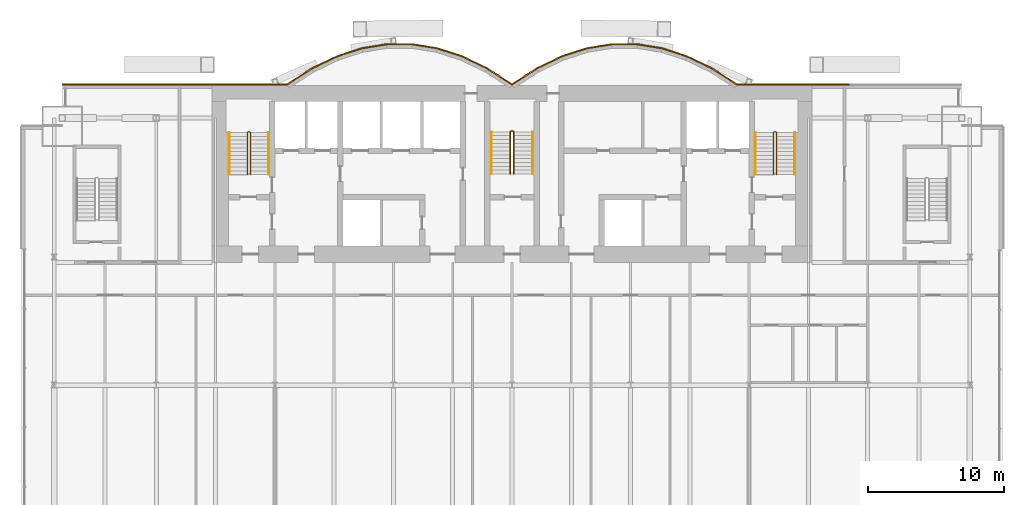
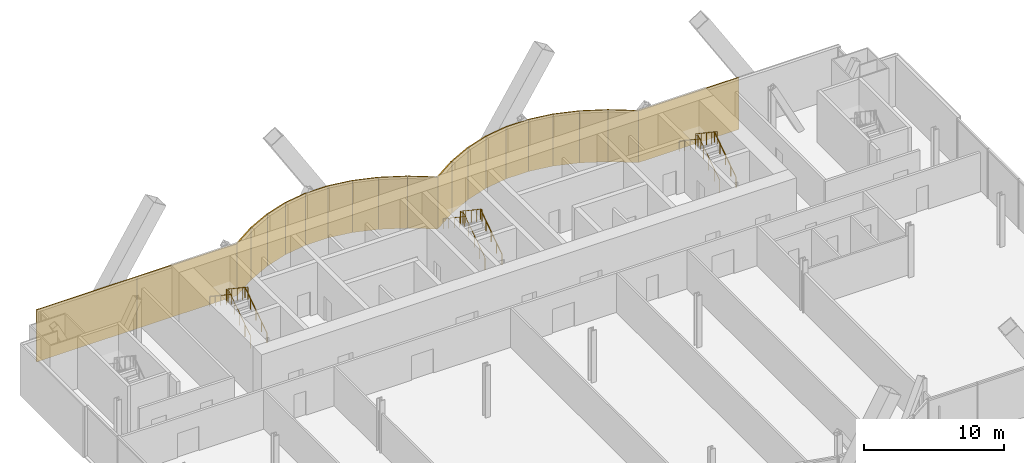
# One storey, part 21 of 23: 21 coverings, 9 railings.
"""IFC4 building model written with IfcOpenShell, lengths in metres."""

from ifc_helpers import new_model, si_unit, direction, frame, origin, origin_2d, place, context, subcontext, project, spatial, rectangle, circle, extrude, material, layer, layer_set, type_object, element, save


model = new_model("IFC4")

# Units and contexts
model_context = context("Model", 3, precision=1e-05, world=origin(), true_north=direction((0.0, 1.0)))
body_context = subcontext(model_context, "Body", "Model", "MODEL_VIEW")
ifc_project = project(units=[si_unit("LENGTHUNIT", "METRE"), si_unit("AREAUNIT", "SQUARE_METRE"), si_unit("VOLUMEUNIT", "CUBIC_METRE"), si_unit("PLANEANGLEUNIT", "RADIAN"), si_unit("MASSUNIT", "GRAM", prefix="KILO")], contexts=[model_context])

# Site, building, storey
site_placement = place(None, origin())
site = spatial("IfcSite", under=ifc_project, at=site_placement, CompositionType="ELEMENT")
building_placement = place(site_placement, origin())
building = spatial("IfcBuilding", under=site, at=building_placement, Name="Bicima Exchange Tower", CompositionType="ELEMENT")
storey_placement = place(building_placement, frame((0.0, 0.0, 44.0)))
storey = spatial("IfcBuildingStorey", under=building, at=storey_placement, Name="L08", CompositionType="ELEMENT", Elevation=44.0)

# Coverings
ifc_material_1 = material(Name="Bronze metal cladding")
ifc_layer_1 = layer(ifc_material_1, 0.004)
ifc_material_2 = material(Name="Ventilated cavity")
ifc_layer_2 = layer(ifc_material_2, 0.06)
ifc_material_3 = material(Name="Galvanised steel rail and mineral wool", Category="steel")
ifc_layer_3 = layer(ifc_material_3, 0.036)
ifc_layer_set = layer_set([ifc_layer_1, ifc_layer_2, ifc_layer_3], Name="Ventilated cavity")
covering_type = type_object("IfcCoveringType", Name="Bronze metal cladding panel 100", PredefinedType="CLADDING", material=ifc_layer_set)
covering_1_placement = place(storey_placement, frame((20.625, 0.050048828125, -0.14990234375), z_axis=(0.0, 0.0, 1.0), x_axis=(-1.0, 0.0, 0.0)))
element("IfcCovering", 1, at=covering_1_placement, inside=storey, type_object=covering_type, Name="Bronze cladding L08 1.2", PredefinedType="CLADDING", context=body_context, shape_type="SweptSolid", body=[
    extrude(rectangle(XDim=8.25, YDim=0.10009765625, at=origin_2d()), origin(), (0.0, 0.0, 1.0), 4.5),
])
covering_2_placement = place(storey_placement, frame((15.610595703125, 0.634521484375, -0.14990234375), z_axis=(0.0, 0.0, 1.0), x_axis=(-0.839790466384, 0.542910648791, 0.0)))
element("IfcCovering", 2, at=covering_2_placement, inside=storey, type_object=covering_type, Name="Bronze cladding L08 2.1", PredefinedType="CLADDING", context=body_context, shape_type="SweptSolid", body=[
    extrude(rectangle(XDim=2.18310546875, YDim=0.10009765625, at=origin_2d()), origin(), (0.0, 0.0, 1.0), 4.5),
])
covering_3_placement = place(storey_placement, frame((13.771728515625, 1.674560546875, -0.14990234375), z_axis=(0.0, 0.0, 1.0), x_axis=(-0.899818346812, 0.436264762204, 0.0)))
element("IfcCovering", 3, at=covering_3_placement, inside=storey, type_object=covering_type, Name="Bronze cladding L08 3.1", PredefinedType="CLADDING", context=body_context, shape_type="SweptSolid", body=[
    extrude(rectangle(XDim=2.03759765625, YDim=0.10009765625, at=origin_2d()), origin(), (0.0, 0.0, 1.0), 4.5),
])
covering_4_placement = place(storey_placement, frame((11.931884765625, 2.41796875, -0.14990234375), z_axis=(0.0, 0.0, 1.0), x_axis=(-0.951524642381, 0.307572519808, 0.0)))
element("IfcCovering", 4, at=covering_4_placement, inside=storey, type_object=covering_type, Name="Bronze cladding L08 4.1", PredefinedType="CLADDING", context=body_context, shape_type="SweptSolid", body=[
    extrude(rectangle(XDim=1.9267578125, YDim=0.10009765625, at=origin_2d()), origin(), (0.0, 0.0, 1.0), 4.5),
])
covering_5_placement = place(storey_placement, frame((10.09130859375, 2.8642578125, -0.14990234375), z_axis=(0.0, 0.0, 1.0), x_axis=(-0.987189786347, 0.159550386184, 0.0)))
element("IfcCovering", 5, at=covering_5_placement, inside=storey, type_object=covering_type, Name="Bronze cladding L08 5.1", PredefinedType="CLADDING", context=body_context, shape_type="SweptSolid", body=[
    extrude(rectangle(XDim=1.857177734375, YDim=0.10009765625, at=origin_2d()), origin(), (0.0, 0.0, 1.0), 4.5),
])
covering_6_placement = place(storey_placement, frame((8.25, 3.012939453125, -0.14990234375), z_axis=(0.0, 0.0, 1.0), x_axis=(-1.0, 0.0, 0.0)))
element("IfcCovering", 6, at=covering_6_placement, inside=storey, type_object=covering_type, Name="Bronze cladding L08 6.1", PredefinedType="CLADDING", context=body_context, shape_type="SweptSolid", body=[
    extrude(rectangle(XDim=1.83349609375, YDim=0.10009765625, at=origin_2d()), origin(), (0.0, 0.0, 1.0), 4.5),
])
covering_7_placement = place(storey_placement, frame((6.40869140625, 2.8642578125, -0.14990234375), z_axis=(0.0, 0.0, 1.0), x_axis=(-0.987189786347, -0.159550386184, 0.0)))
element("IfcCovering", 7, at=covering_7_placement, inside=storey, type_object=covering_type, Name="Bronze cladding L08 7.1", PredefinedType="CLADDING", context=body_context, shape_type="SweptSolid", body=[
    extrude(rectangle(XDim=1.857177734375, YDim=0.10009765625, at=origin_2d()), origin(), (0.0, 0.0, 1.0), 4.5),
])
covering_8_placement = place(storey_placement, frame((4.568115234375, 2.41796875, -0.14990234375), z_axis=(0.0, 0.0, 1.0), x_axis=(-0.951524642381, -0.307572519808, 0.0)))
element("IfcCovering", 8, at=covering_8_placement, inside=storey, type_object=covering_type, Name="Bronze cladding L08 8.1", PredefinedType="CLADDING", context=body_context, shape_type="SweptSolid", body=[
    extrude(rectangle(XDim=1.9267578125, YDim=0.10009765625, at=origin_2d()), origin(), (0.0, 0.0, 1.0), 4.5),
])
covering_9_placement = place(storey_placement, frame((2.728271484375, 1.674560546875, -0.14990234375), z_axis=(0.0, 0.0, 1.0), x_axis=(-0.899818346812, -0.436264762204, 0.0)))
element("IfcCovering", 9, at=covering_9_placement, inside=storey, type_object=covering_type, Name="Bronze cladding L08 9.1", PredefinedType="CLADDING", context=body_context, shape_type="SweptSolid", body=[
    extrude(rectangle(XDim=2.03759765625, YDim=0.10009765625, at=origin_2d()), origin(), (0.0, 0.0, 1.0), 4.5),
])
for number, where, z_axis, x_axis, name in (
    (10, (0.889404296875, 0.634521484375, -0.14990234375), (0.0, 0.0, 1.0), (-0.839790466384, -0.542910648791, 0.0), "Bronze cladding L08 10.1"),
    (11, (-0.889404296875, 0.634521484375, -0.14990234375), (0.0, 0.0, 1.0), (-0.839790466384, 0.542910648791, 0.0), "Bronze cladding L08 11.1"),
):
    element("IfcCovering", number, at=place(storey_placement, frame(where, z_axis=z_axis, x_axis=x_axis)), inside=storey, type_object=covering_type, Name=name, PredefinedType="CLADDING", context=body_context, shape_type="SweptSolid", body=[
        extrude(rectangle(XDim=2.18310546875, YDim=0.10009765625, at=origin_2d()), origin(), (0.0, 0.0, 1.0), 4.5),
    ])
covering_10_placement = place(storey_placement, frame((-2.728271484375, 1.674560546875, -0.14990234375), z_axis=(0.0, 0.0, 1.0), x_axis=(-0.899818346812, 0.436264762204, 0.0)))
element("IfcCovering", 12, at=covering_10_placement, inside=storey, type_object=covering_type, Name="Bronze cladding L08 12.1", PredefinedType="CLADDING", context=body_context, shape_type="SweptSolid", body=[
    extrude(rectangle(XDim=2.03759765625, YDim=0.10009765625, at=origin_2d()), origin(), (0.0, 0.0, 1.0), 4.5),
])
covering_11_placement = place(storey_placement, frame((-4.568115234375, 2.41796875, -0.14990234375), z_axis=(0.0, 0.0, 1.0), x_axis=(-0.951524642381, 0.307572519808, 0.0)))
element("IfcCovering", 13, at=covering_11_placement, inside=storey, type_object=covering_type, Name="Bronze cladding L08 13.1", PredefinedType="CLADDING", context=body_context, shape_type="SweptSolid", body=[
    extrude(rectangle(XDim=1.9267578125, YDim=0.10009765625, at=origin_2d()), origin(), (0.0, 0.0, 1.0), 4.5),
])
covering_12_placement = place(storey_placement, frame((-6.40869140625, 2.8642578125, -0.14990234375), z_axis=(0.0, 0.0, 1.0), x_axis=(-0.987189786347, 0.159550386184, 0.0)))
element("IfcCovering", 14, at=covering_12_placement, inside=storey, type_object=covering_type, Name="Bronze cladding L08 14.1", PredefinedType="CLADDING", context=body_context, shape_type="SweptSolid", body=[
    extrude(rectangle(XDim=1.857177734375, YDim=0.10009765625, at=origin_2d()), origin(), (0.0, 0.0, 1.0), 4.5),
])
covering_13_placement = place(storey_placement, frame((-8.25, 3.012939453125, -0.14990234375), z_axis=(0.0, 0.0, 1.0), x_axis=(-1.0, 0.0, 0.0)))
element("IfcCovering", 15, at=covering_13_placement, inside=storey, type_object=covering_type, Name="Bronze cladding L08 15.1", PredefinedType="CLADDING", context=body_context, shape_type="SweptSolid", body=[
    extrude(rectangle(XDim=1.83349609375, YDim=0.10009765625, at=origin_2d()), origin(), (0.0, 0.0, 1.0), 4.5),
])
covering_14_placement = place(storey_placement, frame((-10.09130859375, 2.8642578125, -0.14990234375), z_axis=(0.0, 0.0, 1.0), x_axis=(-0.987189786347, -0.159550386184, 0.0)))
element("IfcCovering", 16, at=covering_14_placement, inside=storey, type_object=covering_type, Name="Bronze cladding L08 16.1", PredefinedType="CLADDING", context=body_context, shape_type="SweptSolid", body=[
    extrude(rectangle(XDim=1.857177734375, YDim=0.10009765625, at=origin_2d()), origin(), (0.0, 0.0, 1.0), 4.5),
])
covering_15_placement = place(storey_placement, frame((-11.931884765625, 2.41796875, -0.14990234375), z_axis=(0.0, 0.0, 1.0), x_axis=(-0.951524642381, -0.307572519808, 0.0)))
element("IfcCovering", 17, at=covering_15_placement, inside=storey, type_object=covering_type, Name="Bronze cladding L08 17.1", PredefinedType="CLADDING", context=body_context, shape_type="SweptSolid", body=[
    extrude(rectangle(XDim=1.9267578125, YDim=0.10009765625, at=origin_2d()), origin(), (0.0, 0.0, 1.0), 4.5),
])
covering_16_placement = place(storey_placement, frame((-13.771728515625, 1.674560546875, -0.14990234375), z_axis=(0.0, 0.0, 1.0), x_axis=(-0.899818346812, -0.436264762204, 0.0)))
element("IfcCovering", 18, at=covering_16_placement, inside=storey, type_object=covering_type, Name="Bronze cladding L08 18.1", PredefinedType="CLADDING", context=body_context, shape_type="SweptSolid", body=[
    extrude(rectangle(XDim=2.03759765625, YDim=0.10009765625, at=origin_2d()), origin(), (0.0, 0.0, 1.0), 4.5),
])
covering_17_placement = place(storey_placement, frame((-15.610595703125, 0.634521484375, -0.14990234375), z_axis=(0.0, 0.0, 1.0), x_axis=(-0.839790466384, -0.542910648791, 0.0)))
element("IfcCovering", 19, at=covering_17_placement, inside=storey, type_object=covering_type, Name="Bronze cladding L08 19.1", PredefinedType="CLADDING", context=body_context, shape_type="SweptSolid", body=[
    extrude(rectangle(XDim=2.18310546875, YDim=0.10009765625, at=origin_2d()), origin(), (0.0, 0.0, 1.0), 4.5),
])
for number, where, z_axis, x_axis, name in (
    (20, (-20.625, 0.050048828125, -0.14990234375), (0.0, 0.0, 1.0), (-1.0, 0.0, 0.0), "Bronze cladding L08 20.1"),
    (21, (-28.875, 0.050048828125, -0.14990234375), (0.0, 0.0, 1.0), (-1.0, 0.0, 0.0), "Bronze cladding L08 20.2"),
):
    element("IfcCovering", number, at=place(storey_placement, frame(where, z_axis=z_axis, x_axis=x_axis)), inside=storey, type_object=covering_type, Name=name, PredefinedType="CLADDING", context=body_context, shape_type="SweptSolid", body=[
        extrude(rectangle(XDim=8.25, YDim=0.10009765625, at=origin_2d()), origin(), (0.0, 0.0, 1.0), 4.5),
    ])

# Railings
ifc_material_4 = material(Name="Stainless steel", Category="steel")
railing_type_1 = type_object("IfcRailingType", Name="Stair guard 1100", PredefinedType="GUARDRAIL", material=ifc_material_4)
railing_1_placement = place(storey_placement, frame((-19.199951171875, -6.550048828125, 0.1875)))
element("IfcRailing", 22, at=railing_1_placement, inside=storey, type_object=railing_type_1, Name="L08 ST-W stair guard 1", PredefinedType="GUARDRAIL", context=body_context, shape_type="SweptSolid", body=[
    extrude(circle(Radius=0.02392578125, at=origin_2d()), frame((0.0, 0.0, 1.076171875), z_axis=(0.0, 0.830913701846, 0.55640131208), x_axis=(-1.0, 0.0, 0.0)), (0.0, 0.0, 1.0), 3.706787109375),
    extrude(circle(Radius=0.02392578125, at=origin_2d()), frame((0.0, 3.080078125, 3.138671875), z_axis=(-0.707106781187, 0.707106781187, 0.0), x_axis=(-0.707106781187, -0.707106781187, 0.0)), (0.0, 0.0, 1.0), 0.07080078125),
    extrude(circle(Radius=0.02392578125, at=origin_2d()), frame((-0.050048828125, 3.130126953125, 3.138671875), z_axis=(-1.0, 0.0, 0.0), x_axis=(0.0, -1.0, 0.0)), (0.0, 0.0, 1.0), 0.10009765625),
    extrude(circle(Radius=0.02392578125, at=origin_2d()), frame((-0.150146484375, 3.130126953125, 3.138671875), z_axis=(-0.248583702486, -0.249802250048, 0.935844527007), x_axis=(0.708833529934, -0.705375805398, 0.0)), (0.0, 0.0, 1.0), 0.200439453125),
    extrude(circle(Radius=0.02392578125, at=origin_2d()), frame((-0.199951171875, 3.080078125, 3.326171875), z_axis=(0.0, -0.830913701846, 0.55640131208), x_axis=(1.0, 0.0, 0.0)), (0.0, 0.0, 1.0), 3.706787109375),
    extrude(circle(Radius=0.02099609375, at=origin_2d()), origin(), (0.0, 0.0, 1.0), 1.052001953125),
    extrude(circle(Radius=0.02099609375, at=origin_2d()), frame((0.0, 0.77001953125, 0.515625)), (0.0, 0.0, 1.0), 1.052001953125),
    extrude(circle(Radius=0.02099609375, at=origin_2d()), frame((0.0, 1.5400390625, 1.03125)), (0.0, 0.0, 1.0), 1.052001953125),
    extrude(circle(Radius=0.02099609375, at=origin_2d()), frame((0.0, 2.31005859375, 1.546875)), (0.0, 0.0, 1.0), 1.052001953125),
    extrude(circle(Radius=0.02099609375, at=origin_2d()), frame((0.0, 3.080078125, 2.0625)), (0.0, 0.0, 1.0), 1.052001953125),
    extrude(circle(Radius=0.02099609375, at=origin_2d()), frame((-0.050048828125, 3.130126953125, 2.0625)), (0.0, 0.0, 1.0), 1.052001953125),
    extrude(circle(Radius=0.02099609375, at=origin_2d()), frame((-0.150146484375, 3.130126953125, 2.0625)), (0.0, 0.0, 1.0), 1.052001953125),
    extrude(circle(Radius=0.02099609375, at=origin_2d()), frame((-0.199951171875, 3.080078125, 2.25)), (0.0, 0.0, 1.0), 1.052001953125),
    extrude(circle(Radius=0.02099609375, at=origin_2d()), frame((-0.199951171875, 2.31005859375, 2.765625)), (0.0, 0.0, 1.0), 1.052001953125),
    extrude(circle(Radius=0.02099609375, at=origin_2d()), frame((-0.199951171875, 1.5400390625, 3.28125)), (0.0, 0.0, 1.0), 1.052001953125),
    extrude(circle(Radius=0.02099609375, at=origin_2d()), frame((-0.199951171875, 0.77001953125, 3.796875)), (0.0, 0.0, 1.0), 1.052001953125),
    extrude(circle(Radius=0.02099609375, at=origin_2d()), frame((-0.199951171875, 0.0, 4.3125)), (0.0, 0.0, 1.0), 1.052001953125),
])
railing_2_placement = place(storey_placement, frame((0.125, -6.5, 0.1875)))
element("IfcRailing", 23, at=railing_2_placement, inside=storey, type_object=railing_type_1, Name="L08 ST-C stair guard 1", PredefinedType="GUARDRAIL", context=body_context, shape_type="SweptSolid", body=[
    extrude(circle(Radius=0.02392578125, at=origin_2d()), frame((0.0, 0.0, 1.076171875), z_axis=(0.0, 0.830913701846, 0.55640131208), x_axis=(-1.0, 0.0, 0.0)), (0.0, 0.0, 1.0), 3.706787109375),
    extrude(circle(Radius=0.02392578125, at=origin_2d()), frame((0.0, 3.080078125, 3.138671875), z_axis=(-0.708833529934, 0.705375805398, 0.0), x_axis=(-0.705375805398, -0.708833529934, 0.0)), (0.0, 0.0, 1.0), 0.070556640625),
    extrude(circle(Radius=0.02392578125, at=origin_2d()), frame((-0.050048828125, 3.1298828125, 3.138671875), z_axis=(-1.0, 0.0, 0.0), x_axis=(0.0, -1.0, 0.0)), (0.0, 0.0, 1.0), 0.14990234375),
    extrude(circle(Radius=0.02392578125, at=origin_2d()), frame((-0.199951171875, 3.1298828125, 3.138671875), z_axis=(-0.249802250048, -0.248583702486, 0.935844527007), x_axis=(0.705375805398, -0.708833529934, 0.0)), (0.0, 0.0, 1.0), 0.200439453125),
    extrude(circle(Radius=0.02392578125, at=origin_2d()), frame((-0.25, 3.080078125, 3.326171875), z_axis=(0.0, -0.830913701846, 0.55640131208), x_axis=(1.0, 0.0, 0.0)), (0.0, 0.0, 1.0), 3.706787109375),
    extrude(circle(Radius=0.02099609375, at=origin_2d()), origin(), (0.0, 0.0, 1.0), 1.052001953125),
    extrude(circle(Radius=0.02099609375, at=origin_2d()), frame((0.0, 0.77001953125, 0.515625)), (0.0, 0.0, 1.0), 1.052001953125),
    extrude(circle(Radius=0.02099609375, at=origin_2d()), frame((0.0, 1.5400390625, 1.03125)), (0.0, 0.0, 1.0), 1.052001953125),
    extrude(circle(Radius=0.02099609375, at=origin_2d()), frame((0.0, 2.31005859375, 1.546875)), (0.0, 0.0, 1.0), 1.052001953125),
    extrude(circle(Radius=0.02099609375, at=origin_2d()), frame((0.0, 3.080078125, 2.0625)), (0.0, 0.0, 1.0), 1.052001953125),
    extrude(circle(Radius=0.02099609375, at=origin_2d()), frame((-0.050048828125, 3.1298828125, 2.0625)), (0.0, 0.0, 1.0), 1.052001953125),
    extrude(circle(Radius=0.02099609375, at=origin_2d()), frame((-0.199951171875, 3.1298828125, 2.0625)), (0.0, 0.0, 1.0), 1.052001953125),
    extrude(circle(Radius=0.02099609375, at=origin_2d()), frame((-0.25, 3.080078125, 2.25)), (0.0, 0.0, 1.0), 1.052001953125),
    extrude(circle(Radius=0.02099609375, at=origin_2d()), frame((-0.25, 2.31005859375, 2.765625)), (0.0, 0.0, 1.0), 1.052001953125),
    extrude(circle(Radius=0.02099609375, at=origin_2d()), frame((-0.25, 1.5400390625, 3.28125)), (0.0, 0.0, 1.0), 1.052001953125),
    extrude(circle(Radius=0.02099609375, at=origin_2d()), frame((-0.25, 0.77001953125, 3.796875)), (0.0, 0.0, 1.0), 1.052001953125),
    extrude(circle(Radius=0.02099609375, at=origin_2d()), frame((-0.25, 0.0, 4.3125)), (0.0, 0.0, 1.0), 1.052001953125),
])
railing_3_placement = place(storey_placement, frame((19.39990234375, -6.550048828125, 0.1875)))
element("IfcRailing", 24, at=railing_3_placement, inside=storey, type_object=railing_type_1, Name="L08 ST-E stair guard 1", PredefinedType="GUARDRAIL", context=body_context, shape_type="SweptSolid", body=[
    extrude(circle(Radius=0.02392578125, at=origin_2d()), frame((0.0, 0.0, 1.076171875), z_axis=(0.0, 0.830913701846, 0.55640131208), x_axis=(-1.0, 0.0, 0.0)), (0.0, 0.0, 1.0), 3.706787109375),
    extrude(circle(Radius=0.02392578125, at=origin_2d()), frame((0.0, 3.080078125, 3.138671875), z_axis=(-0.705375805398, 0.708833529934, 0.0), x_axis=(-0.708833529934, -0.705375805398, 0.0)), (0.0, 0.0, 1.0), 0.070556640625),
    extrude(circle(Radius=0.02392578125, at=origin_2d()), frame((-0.0498046875, 3.130126953125, 3.138671875), z_axis=(-1.0, 0.0, 0.0), x_axis=(0.0, -1.0, 0.0)), (0.0, 0.0, 1.0), 0.10009765625),
    extrude(circle(Radius=0.02392578125, at=origin_2d()), frame((-0.14990234375, 3.130126953125, 3.138671875), z_axis=(-0.249726431254, -0.249726431254, 0.935560483917), x_axis=(0.707106781187, -0.707106781187, 0.0)), (0.0, 0.0, 1.0), 0.200439453125),
    extrude(circle(Radius=0.02392578125, at=origin_2d()), frame((-0.199951171875, 3.080078125, 3.326171875), z_axis=(0.0, -0.830913701846, 0.55640131208), x_axis=(1.0, 0.0, 0.0)), (0.0, 0.0, 1.0), 3.706787109375),
    extrude(circle(Radius=0.02099609375, at=origin_2d()), origin(), (0.0, 0.0, 1.0), 1.052001953125),
    extrude(circle(Radius=0.02099609375, at=origin_2d()), frame((0.0, 0.77001953125, 0.515625)), (0.0, 0.0, 1.0), 1.052001953125),
    extrude(circle(Radius=0.02099609375, at=origin_2d()), frame((0.0, 1.5400390625, 1.03125)), (0.0, 0.0, 1.0), 1.052001953125),
    extrude(circle(Radius=0.02099609375, at=origin_2d()), frame((0.0, 2.31005859375, 1.546875)), (0.0, 0.0, 1.0), 1.052001953125),
    extrude(circle(Radius=0.02099609375, at=origin_2d()), frame((0.0, 3.080078125, 2.0625)), (0.0, 0.0, 1.0), 1.052001953125),
    extrude(circle(Radius=0.02099609375, at=origin_2d()), frame((-0.0498046875, 3.130126953125, 2.0625)), (0.0, 0.0, 1.0), 1.052001953125),
    extrude(circle(Radius=0.02099609375, at=origin_2d()), frame((-0.14990234375, 3.130126953125, 2.0625)), (0.0, 0.0, 1.0), 1.052001953125),
    extrude(circle(Radius=0.02099609375, at=origin_2d()), frame((-0.199951171875, 3.080078125, 2.25)), (0.0, 0.0, 1.0), 1.052001953125),
    extrude(circle(Radius=0.02099609375, at=origin_2d()), frame((-0.199951171875, 2.31005859375, 2.765625)), (0.0, 0.0, 1.0), 1.052001953125),
    extrude(circle(Radius=0.02099609375, at=origin_2d()), frame((-0.199951171875, 1.5400390625, 3.28125)), (0.0, 0.0, 1.0), 1.052001953125),
    extrude(circle(Radius=0.02099609375, at=origin_2d()), frame((-0.199951171875, 0.77001953125, 3.796875)), (0.0, 0.0, 1.0), 1.052001953125),
    extrude(circle(Radius=0.02099609375, at=origin_2d()), frame((-0.199951171875, 0.0, 4.3125)), (0.0, 0.0, 1.0), 1.052001953125),
])
railing_type_2 = type_object("IfcRailingType", Name="Stair handrail 900", PredefinedType="HANDRAIL", material=ifc_material_4)
railing_4_placement = place(storey_placement, frame((-17.85009765625, -6.550048828125, 0.1875)))
element("IfcRailing", 25, at=railing_4_placement, inside=storey, type_object=railing_type_2, Name="L08 ST-W stair handrail 1", PredefinedType="HANDRAIL", context=body_context, shape_type="SweptSolid", body=[
    extrude(circle(Radius=0.02392578125, at=origin_2d()), frame((0.0, 0.0, 0.8759765625), z_axis=(0.0, 0.830913701846, 0.55640131208), x_axis=(-1.0, 0.0, 0.0)), (0.0, 0.0, 1.0), 3.706787109375),
    extrude(circle(Radius=0.02099609375, at=origin_2d()), origin(), (0.0, 0.0, 1.0), 0.851806640625),
    extrude(circle(Radius=0.02099609375, at=origin_2d()), frame((0.0, 0.77001953125, 0.515625)), (0.0, 0.0, 1.0), 0.851806640625),
    extrude(circle(Radius=0.02099609375, at=origin_2d()), frame((0.0, 1.5400390625, 1.03125)), (0.0, 0.0, 1.0), 0.851806640625),
    extrude(circle(Radius=0.02099609375, at=origin_2d()), frame((0.0, 2.31005859375, 1.546875)), (0.0, 0.0, 1.0), 0.851806640625),
    extrude(circle(Radius=0.02099609375, at=origin_2d()), frame((0.0, 3.080078125, 2.0625)), (0.0, 0.0, 1.0), 0.851806640625),
])
railing_5_placement = place(storey_placement, frame((-20.75, -3.469970703125, 2.47900390625)))
element("IfcRailing", 26, at=railing_5_placement, inside=storey, type_object=railing_type_2, Name="L08 ST-W stair handrail 2", PredefinedType="HANDRAIL", context=body_context, shape_type="SweptSolid", body=[
    extrude(circle(Radius=0.02392578125, at=origin_2d()), frame((0.0, 0.0, 0.8759765625), z_axis=(0.0, -0.830913701846, 0.55640131208), x_axis=(1.0, 0.0, 0.0)), (0.0, 0.0, 1.0), 3.706787109375),
    extrude(circle(Radius=0.02099609375, at=origin_2d()), origin(), (0.0, 0.0, 1.0), 0.851806640625),
    extrude(circle(Radius=0.02099609375, at=origin_2d()), frame((0.0, -0.77001953125, 0.515625)), (0.0, 0.0, 1.0), 0.851806640625),
    extrude(circle(Radius=0.02099609375, at=origin_2d()), frame((0.0, -1.5400390625, 1.03125)), (0.0, 0.0, 1.0), 0.851806640625),
    extrude(circle(Radius=0.02099609375, at=origin_2d()), frame((0.0, -2.31005859375, 1.546875)), (0.0, 0.0, 1.0), 0.851806640625),
    extrude(circle(Radius=0.02099609375, at=origin_2d()), frame((0.0, -3.080078125, 2.0625)), (0.0, 0.0, 1.0), 0.851806640625),
])
railing_6_placement = place(storey_placement, frame((1.52490234375, -6.5, 0.1875)))
element("IfcRailing", 27, at=railing_6_placement, inside=storey, type_object=railing_type_2, Name="L08 ST-C stair handrail 1", PredefinedType="HANDRAIL", context=body_context, shape_type="SweptSolid", body=[
    extrude(circle(Radius=0.02392578125, at=origin_2d()), frame((0.0, 0.0, 0.8759765625), z_axis=(0.0, 0.830913701846, 0.55640131208), x_axis=(-1.0, 0.0, 0.0)), (0.0, 0.0, 1.0), 3.706787109375),
    extrude(circle(Radius=0.02099609375, at=origin_2d()), origin(), (0.0, 0.0, 1.0), 0.851806640625),
    extrude(circle(Radius=0.02099609375, at=origin_2d()), frame((0.0, 0.77001953125, 0.515625)), (0.0, 0.0, 1.0), 0.851806640625),
    extrude(circle(Radius=0.02099609375, at=origin_2d()), frame((0.0, 1.5400390625, 1.03125)), (0.0, 0.0, 1.0), 0.851806640625),
    extrude(circle(Radius=0.02099609375, at=origin_2d()), frame((0.0, 2.31005859375, 1.546875)), (0.0, 0.0, 1.0), 0.851806640625),
    extrude(circle(Radius=0.02099609375, at=origin_2d()), frame((0.0, 3.080078125, 2.0625)), (0.0, 0.0, 1.0), 0.851806640625),
])
railing_7_placement = place(storey_placement, frame((-1.52490234375, -3.419921875, 2.47900390625)))
element("IfcRailing", 28, at=railing_7_placement, inside=storey, type_object=railing_type_2, Name="L08 ST-C stair handrail 2", PredefinedType="HANDRAIL", context=body_context, shape_type="SweptSolid", body=[
    extrude(circle(Radius=0.02392578125, at=origin_2d()), frame((0.0, 0.0, 0.8759765625), z_axis=(0.0, -0.830913701846, 0.55640131208), x_axis=(1.0, 0.0, 0.0)), (0.0, 0.0, 1.0), 3.706787109375),
    extrude(circle(Radius=0.02099609375, at=origin_2d()), origin(), (0.0, 0.0, 1.0), 0.851806640625),
    extrude(circle(Radius=0.02099609375, at=origin_2d()), frame((0.0, -0.77001953125, 0.515625)), (0.0, 0.0, 1.0), 0.851806640625),
    extrude(circle(Radius=0.02099609375, at=origin_2d()), frame((0.0, -1.5400390625, 1.03125)), (0.0, 0.0, 1.0), 0.851806640625),
    extrude(circle(Radius=0.02099609375, at=origin_2d()), frame((0.0, -2.31005859375, 1.546875)), (0.0, 0.0, 1.0), 0.851806640625),
    extrude(circle(Radius=0.02099609375, at=origin_2d()), frame((0.0, -3.080078125, 2.0625)), (0.0, 0.0, 1.0), 0.851806640625),
])
railing_8_placement = place(storey_placement, frame((20.75, -6.550048828125, 0.1875)))
element("IfcRailing", 29, at=railing_8_placement, inside=storey, type_object=railing_type_2, Name="L08 ST-E stair handrail 1", PredefinedType="HANDRAIL", context=body_context, shape_type="SweptSolid", body=[
    extrude(circle(Radius=0.02392578125, at=origin_2d()), frame((0.0, 0.0, 0.8759765625), z_axis=(0.0, 0.830913701846, 0.55640131208), x_axis=(-1.0, 0.0, 0.0)), (0.0, 0.0, 1.0), 3.706787109375),
    extrude(circle(Radius=0.02099609375, at=origin_2d()), origin(), (0.0, 0.0, 1.0), 0.851806640625),
    extrude(circle(Radius=0.02099609375, at=origin_2d()), frame((0.0, 0.77001953125, 0.515625)), (0.0, 0.0, 1.0), 0.851806640625),
    extrude(circle(Radius=0.02099609375, at=origin_2d()), frame((0.0, 1.5400390625, 1.03125)), (0.0, 0.0, 1.0), 0.851806640625),
    extrude(circle(Radius=0.02099609375, at=origin_2d()), frame((0.0, 2.31005859375, 1.546875)), (0.0, 0.0, 1.0), 0.851806640625),
    extrude(circle(Radius=0.02099609375, at=origin_2d()), frame((0.0, 3.080078125, 2.0625)), (0.0, 0.0, 1.0), 0.851806640625),
])
railing_9_placement = place(storey_placement, frame((17.85009765625, -3.469970703125, 2.47900390625)))
element("IfcRailing", 30, at=railing_9_placement, inside=storey, type_object=railing_type_2, Name="L08 ST-E stair handrail 2", PredefinedType="HANDRAIL", context=body_context, shape_type="SweptSolid", body=[
    extrude(circle(Radius=0.02392578125, at=origin_2d()), frame((0.0, 0.0, 0.8759765625), z_axis=(0.0, -0.830913701846, 0.55640131208), x_axis=(1.0, 0.0, 0.0)), (0.0, 0.0, 1.0), 3.706787109375),
    extrude(circle(Radius=0.02099609375, at=origin_2d()), origin(), (0.0, 0.0, 1.0), 0.851806640625),
    extrude(circle(Radius=0.02099609375, at=origin_2d()), frame((0.0, -0.77001953125, 0.515625)), (0.0, 0.0, 1.0), 0.851806640625),
    extrude(circle(Radius=0.02099609375, at=origin_2d()), frame((0.0, -1.5400390625, 1.03125)), (0.0, 0.0, 1.0), 0.851806640625),
    extrude(circle(Radius=0.02099609375, at=origin_2d()), frame((0.0, -2.31005859375, 1.546875)), (0.0, 0.0, 1.0), 0.851806640625),
    extrude(circle(Radius=0.02099609375, at=origin_2d()), frame((0.0, -3.080078125, 2.0625)), (0.0, 0.0, 1.0), 0.851806640625),
])

save(model, "model.ifc")
